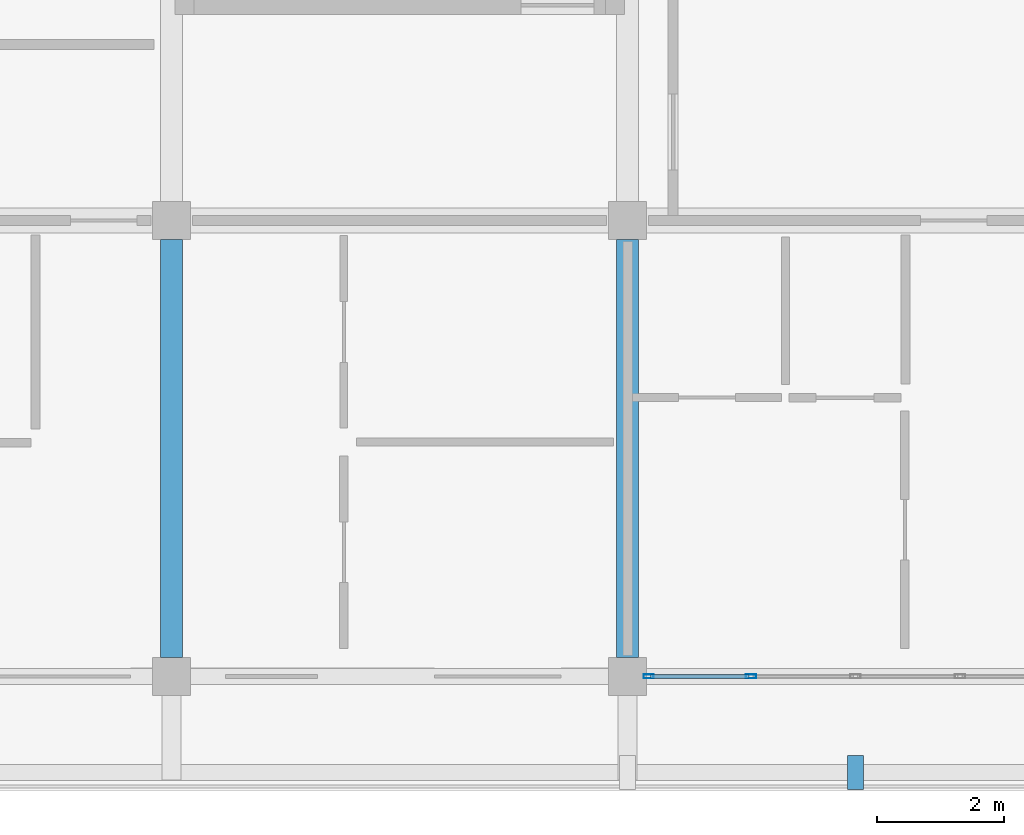
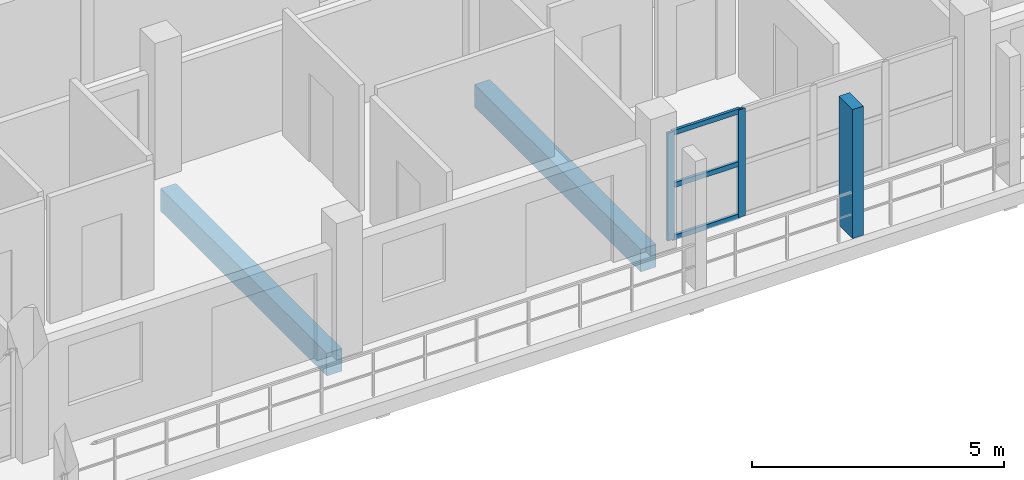
# One storey, part 25 of 75: 6 members, 2 beams, 1 element without a shape of its own.
"""IFC4 building model written with IfcOpenShell, lengths in metres."""

from ifc_helpers import new_model, si_unit, direction, frame, origin, origin_2d, place, context, subcontext, project, spatial, rectangle, hollow_rectangle, extrude, material, material_profile, profile_set, type_object, element, aggregate, save


model = new_model("IFC4")

# Units and contexts
model_context = context("Model", 3, precision=1e-05, world=origin(), true_north=direction((0.0, 1.0)))
body_context = subcontext(model_context, "Body", "Model", "MODEL_VIEW")
ifc_project = project(units=[si_unit("LENGTHUNIT", "METRE"), si_unit("AREAUNIT", "SQUARE_METRE"), si_unit("VOLUMEUNIT", "CUBIC_METRE"), si_unit("PLANEANGLEUNIT", "RADIAN"), si_unit("MASSUNIT", "GRAM", prefix="KILO")], contexts=[model_context])

# Site, building, storey
site_placement = place(None, origin())
site = spatial("IfcSite", under=ifc_project, at=site_placement, CompositionType="ELEMENT")
building_placement = place(site_placement, origin())
building = spatial("IfcBuilding", under=site, at=building_placement, Name="Suanplinth Sawtooth Commons", CompositionType="ELEMENT")
storey_placement = place(building_placement, frame((0.0, 0.0, 18.60009765625)))
storey = spatial("IfcBuildingStorey", under=building, at=storey_placement, Name="L05", CompositionType="ELEMENT", Elevation=18.60009765625)

# Beams
ifc_material_1 = material(Name="Precast concrete C40/50", Category="concrete")
ifc_material_profile_1 = material_profile(ifc_material_1, rectangle(XDim=0.35009765625, YDim=0.550048828125, at=origin_2d()), Name="PC-BM 350x550")
ifc_profile_set_1 = profile_set([ifc_material_profile_1], Name="Precast concrete C40/50")
beam_type = type_object("IfcBeamType", Name="B-06", PredefinedType="BEAM", material=ifc_profile_set_1)
for number, where, z_axis, x_axis, name in (
    (1, (158.39990234375, 0.300048828125, -0.525146484375), (0.0, 1.0, 0.0), (-1.0, 0.0, 0.0), "BMY-L05-C-22-0"),
    (2, (165.60009765625, 0.300048828125, -0.525146484375), (0.0, 1.0, 0.0), (-1.0, 0.0, 0.0), "BMY-L05-C-23-0"),
):
    element("IfcBeam", number, at=place(storey_placement, frame(where, z_axis=z_axis, x_axis=x_axis)), inside=storey, type_object=beam_type, Name=name, PredefinedType="BEAM", context=body_context, shape_type="SweptSolid", body=[
        extrude(rectangle(XDim=0.35009765625, YDim=0.550048828125, at=origin_2d()), origin(), (0.0, 0.0, 1.0), 6.599853515625),
    ])

# Member
ifc_material_2 = material(Name="Pigmented precast concrete C40/50", Category="concrete")
ifc_material_profile_2 = material_profile(ifc_material_2, rectangle(XDim=0.25, YDim=0.5400390625, at=origin_2d()), Name="PC-FIN 250x540")
ifc_profile_set_2 = profile_set([ifc_material_profile_2], Name="Pigmented precast concrete C40/50")
member_type_1 = type_object("IfcMemberType", Name="M-11", PredefinedType="USERDEFINED", material=ifc_profile_set_2)
member_1_placement = place(storey_placement, frame((169.199951171875, -1.52001953125, 0.0), z_axis=(0.0, 0.0, 1.0), x_axis=(1.0, 0.0, 0.0)))
element("IfcMember", 3, at=member_1_placement, inside=storey, type_object=member_type_1, Name="Upright Solar Blade L05-C-S-06", ObjectType="SHADING FIN", PredefinedType="USERDEFINED", context=body_context, shape_type="SweptSolid", body=[
    extrude(rectangle(XDim=0.25, YDim=0.5400390625, at=origin_2d()), origin(), (0.0, 0.0, 1.0), 3.1298828125),
])

# Curtain wall, members
ifc_material_3 = material(Name="Anodized aluminium and low-E glazing", Category="aluminium")
curtain_wall_type = type_object("IfcCurtainWallType", Name="CW-06", PredefinedType="USERDEFINED", material=ifc_material_3)
curtain_wall_placement = place(storey_placement, origin())
curtain_wall = element("IfcCurtainWall", 4, at=curtain_wall_placement, inside=storey, type_object=curtain_wall_type, Name="Curtain Wall CW-L05-C-LOUNGE-23", ObjectType="CURTAIN WALL", PredefinedType="USERDEFINED")
ifc_material_4 = material(Name="Anodized aluminium 6063-T6", Category="aluminium")
ifc_material_profile_3 = material_profile(ifc_material_4, hollow_rectangle(XDim=0.06494140625, YDim=0.159912109375, WallThickness=0.00390625, at=origin_2d()), Name="ALU-MUL 65x160")
ifc_profile_set_3 = profile_set([ifc_material_profile_3], Name="Anodized aluminium 6063-T6")
member_type_2 = type_object("IfcMemberType", Name="M-13", PredefinedType="MULLION", material=ifc_profile_set_3)
member_2_placement = place(storey_placement, frame((165.9326171875, 0.0, 0.0), z_axis=(0.0, 0.0, 1.0), x_axis=(0.0, 1.0, 0.0)))
member_2 = element("IfcMember", 5, at=member_2_placement, type_object=member_type_2, Name="CW-06 mullion 1", PredefinedType="MULLION", context=body_context, shape_type="SweptSolid", body=[
    extrude(hollow_rectangle(XDim=0.06494140625, YDim=0.159912109375, WallThickness=0.00390625, at=origin_2d()), origin(), (0.0, 0.0, 1.0), 2.60986328125),
])
member_3_placement = place(storey_placement, frame((167.550048828125, 0.0, 0.0), z_axis=(0.0, 0.0, 1.0), x_axis=(0.0, 1.0, 0.0)))
member_3 = element("IfcMember", 6, at=member_3_placement, type_object=member_type_2, Name="CW-06 mullion 2", PredefinedType="MULLION", context=body_context, shape_type="SweptSolid", body=[
    extrude(hollow_rectangle(XDim=0.06494140625, YDim=0.159912109375, WallThickness=0.00390625, at=origin_2d()), origin(), (0.0, 0.0, 1.0), 2.60986328125),
])
ifc_material_profile_4 = material_profile(ifc_material_4, hollow_rectangle(XDim=0.06494140625, YDim=0.1201171875, WallThickness=0.00390625, at=origin_2d()), Name="ALU-TRN 65x120")
ifc_profile_set_4 = profile_set([ifc_material_profile_4], Name="Anodized aluminium 6063-T6")
member_type_3 = type_object("IfcMemberType", Name="M-15", PredefinedType="USERDEFINED", material=ifc_profile_set_4)
member_4_placement = place(storey_placement, frame((165.965087890625, 0.0, 0.032470703125), z_axis=(1.0, 0.0, 0.0), x_axis=(0.0, 1.0, 0.0)))
member_4 = element("IfcMember", 7, at=member_4_placement, type_object=member_type_3, Name="CW-06 transom 1.1", ObjectType="TRANSOM", PredefinedType="USERDEFINED", context=body_context, shape_type="SweptSolid", body=[
    extrude(hollow_rectangle(XDim=0.06494140625, YDim=0.1201171875, WallThickness=0.00390625, at=origin_2d()), origin(), (0.0, 0.0, 1.0), 1.552490234375),
])
member_5_placement = place(storey_placement, frame((165.965087890625, 0.0, 1.304931640625), z_axis=(1.0, 0.0, 0.0), x_axis=(0.0, 1.0, 0.0)))
member_5 = element("IfcMember", 8, at=member_5_placement, type_object=member_type_3, Name="CW-06 transom 1.2", ObjectType="TRANSOM", PredefinedType="USERDEFINED", context=body_context, shape_type="SweptSolid", body=[
    extrude(hollow_rectangle(XDim=0.06494140625, YDim=0.1201171875, WallThickness=0.00390625, at=origin_2d()), origin(), (0.0, 0.0, 1.0), 1.552490234375),
])
member_6_placement = place(storey_placement, frame((165.965087890625, 0.0, 2.577392578125), z_axis=(1.0, 0.0, 0.0), x_axis=(0.0, 1.0, 0.0)))
member_6 = element("IfcMember", 9, at=member_6_placement, type_object=member_type_3, Name="CW-06 transom 1.3", ObjectType="TRANSOM", PredefinedType="USERDEFINED", context=body_context, shape_type="SweptSolid", body=[
    extrude(hollow_rectangle(XDim=0.06494140625, YDim=0.1201171875, WallThickness=0.00390625, at=origin_2d()), origin(), (0.0, 0.0, 1.0), 1.552490234375),
])
aggregate(curtain_wall, [member_2, member_3, member_4, member_5, member_6])

save(model, "model.ifc")
